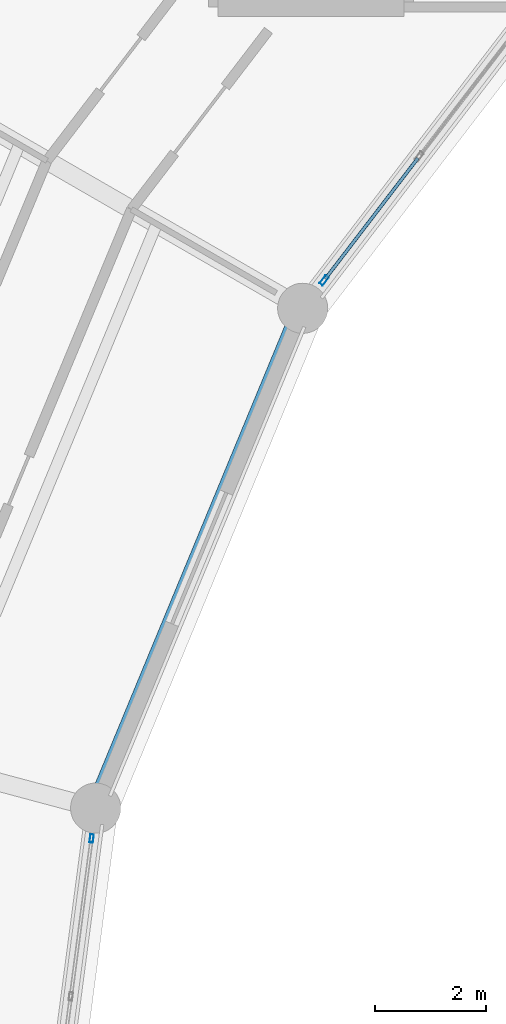
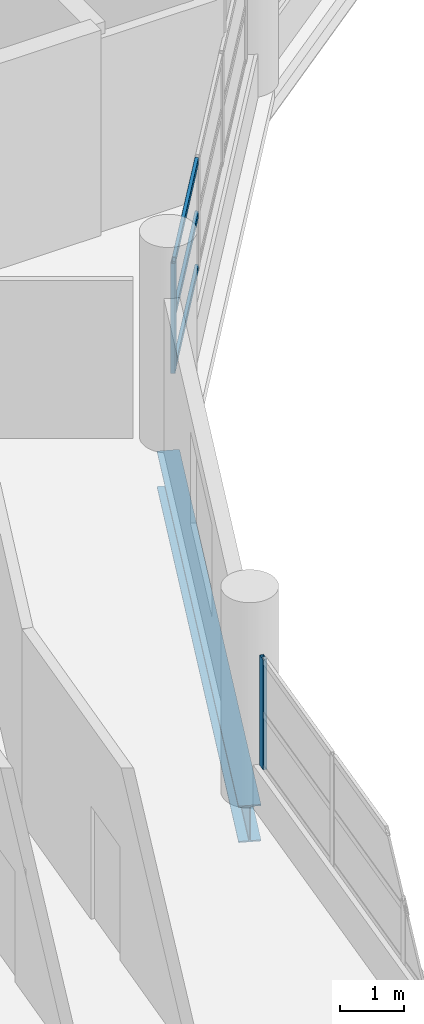
# One storey, part 22 of 53: 5 members, 1 beam, 2 elements without a shape of their own.
"""IFC4 building model written with IfcOpenShell, lengths in metres."""

from ifc_helpers import new_model, si_unit, direction, frame, origin, origin_2d, place, context, subcontext, project, spatial, hollow_rectangle, i_section, extrude, material, layer, layer_set, material_profile, profile_set, type_object, element, aggregate, save


model = new_model("IFC4")

# Units and contexts
model_context = context("Model", 3, precision=1e-05, world=origin(), true_north=direction((0.0, 1.0)))
body_context = subcontext(model_context, "Body", "Model", "MODEL_VIEW")
ifc_project = project(units=[si_unit("LENGTHUNIT", "METRE"), si_unit("AREAUNIT", "SQUARE_METRE"), si_unit("VOLUMEUNIT", "CUBIC_METRE"), si_unit("PLANEANGLEUNIT", "RADIAN"), si_unit("MASSUNIT", "GRAM", prefix="KILO")], contexts=[model_context])

# Site, building, storey
site_placement = place(None, origin())
site = spatial("IfcSite", under=ifc_project, at=site_placement, CompositionType="ELEMENT")
building_placement = place(site_placement, origin())
building = spatial("IfcBuilding", under=site, at=building_placement, Name="Vespera Passage Community Centre", CompositionType="ELEMENT")
storey_placement = place(building_placement, frame((0.0, 0.0, 20.39990234375)))
storey = spatial("IfcBuildingStorey", under=building, at=storey_placement, Name="L05", CompositionType="ELEMENT", Elevation=20.39990234375)

# Beam
ifc_material_1 = material(Name="Steel ASTM A992 Grade 50", Category="steel")
ifc_material_profile_1 = material_profile(ifc_material_1, i_section(OverallWidth=0.3544921875, OverallDepth=0.695556640625, WebThickness=0.015380859375, FlangeThickness=0.024658203125, FilletRadius=0.01513671875, at=origin_2d()), Name="W27X146")
ifc_profile_set_1 = profile_set([ifc_material_profile_1], Name="Steel ASTM A992 Grade 50")
beam_type = type_object("IfcBeamType", Name="BM-SP-W27X146E", PredefinedType="SPANDREL", material=ifc_profile_set_1)
beam_placement = place(storey_placement, frame((45.783935546875, 84.10009765625, -0.607666015625), z_axis=(-0.382684844258, -0.923878947685, 0.0), x_axis=(0.923878947685, -0.382684844258, 0.0)))
element("IfcBeam", 1, at=beam_placement, inside=storey, type_object=beam_type, Name="V4 L05 Inner Spandrel 10", PredefinedType="SPANDREL", context=body_context, shape_type="SweptSolid", body=[
    extrude(i_section(OverallWidth=0.3544921875, OverallDepth=0.695556640625, WebThickness=0.015380859375, FlangeThickness=0.024658203125, FilletRadius=0.01513671875, at=origin_2d()), origin(), (0.0, 0.0, 1.0), 9.711181640625),
])

# Curtain wall, member
ifc_material_2 = material(Name="Anodized aluminium 6063-T6", Category="aluminium")
ifc_layer_1 = layer(ifc_material_2, 0.159912109375)
ifc_layer_set_1 = layer_set([ifc_layer_1], Name="Anodized aluminium 6063-T6")
curtain_wall_type_1 = type_object("IfcCurtainWallType", Name="CW-58E", PredefinedType="NOTDEFINED", material=ifc_layer_set_1)
curtain_wall_1_placement = place(storey_placement, origin())
curtain_wall_1 = element("IfcCurtainWall", 2, at=curtain_wall_1_placement, inside=storey, type_object=curtain_wall_type_1, Name="V4 L05 Inner Court Curtain Wall 11", PredefinedType="NOTDEFINED")
ifc_material_3 = material(Name="Anodized aluminium 6063-T6", Category="aluminium")
ifc_material_profile_2 = material_profile(ifc_material_3, hollow_rectangle(XDim=0.06494140625, YDim=0.14990234375, WallThickness=0.00390625, InnerFilletRadius=0.001953125, OuterFilletRadius=0.00390625, at=origin_2d()), Name="ALU150X65X4")
ifc_profile_set_2 = profile_set([ifc_material_profile_2], Name="Anodized aluminium 6063-T6")
member_type_1 = type_object("IfcMemberType", Name="MB-CWM-150E", PredefinedType="MULLION", material=ifc_profile_set_2)
member_1_placement = place(storey_placement, frame((41.995849609375, 74.582763671875, 0.820068359375), z_axis=(0.0, 0.0, 1.0), x_axis=(0.991445387728, -0.1305221941, 0.0)))
member_1 = element("IfcMember", 3, at=member_1_placement, type_object=member_type_1, Name="CW-58E mullion 1", PredefinedType="MULLION", context=body_context, shape_type="SweptSolid", body=[
    extrude(hollow_rectangle(XDim=0.06494140625, YDim=0.14990234375, WallThickness=0.00390625, InnerFilletRadius=0.001953125, OuterFilletRadius=0.00390625, at=origin_2d()), origin(), (0.0, 0.0, 1.0), 2.08935546875),
])
aggregate(curtain_wall_1, [member_1])

# Curtain wall, members
ifc_material_4 = material(Name="Anodized aluminium 6063-T6", Category="aluminium")
ifc_layer_2 = layer(ifc_material_4, 0.159912109375)
ifc_layer_set_2 = layer_set([ifc_layer_2], Name="Anodized aluminium 6063-T6")
curtain_wall_type_2 = type_object("IfcCurtainWallType", Name="CW-54E", PredefinedType="NOTDEFINED", material=ifc_layer_set_2)
curtain_wall_2_placement = place(storey_placement, origin())
curtain_wall_2 = element("IfcCurtainWall", 4, at=curtain_wall_2_placement, inside=storey, type_object=curtain_wall_type_2, Name="V4 L05 Inner Court Curtain Wall 9", PredefinedType="NOTDEFINED")
ifc_material_5 = material(Name="Anodized aluminium 6063-T6", Category="aluminium")
ifc_material_profile_3 = material_profile(ifc_material_5, hollow_rectangle(XDim=0.074951171875, YDim=0.179931640625, WallThickness=0.0048828125, InnerFilletRadius=0.00244140625, OuterFilletRadius=0.0048828125, at=origin_2d()), Name="ALU180X75X5")
ifc_profile_set_3 = profile_set([ifc_material_profile_3], Name="Anodized aluminium 6063-T6")
member_type_2 = type_object("IfcMemberType", Name="MB-CWM-180E", PredefinedType="MULLION", material=ifc_profile_set_3)
member_2_placement = place(storey_placement, frame((46.167724609375, 84.600341796875, 0.820068359375), z_axis=(0.0, 0.0, 1.0), x_axis=(0.793358205999, -0.608755087843, 0.0)))
member_2 = element("IfcMember", 5, at=member_2_placement, type_object=member_type_2, Name="CW-54E mullion 4", PredefinedType="MULLION", context=body_context, shape_type="SweptSolid", body=[
    extrude(hollow_rectangle(XDim=0.074951171875, YDim=0.179931640625, WallThickness=0.0048828125, InnerFilletRadius=0.00244140625, OuterFilletRadius=0.0048828125, at=origin_2d()), origin(), (0.0, 0.0, 1.0), 2.08935546875),
])
ifc_material_6 = material(Name="Anodized aluminium 6063-T6", Category="aluminium")
ifc_material_profile_4 = material_profile(ifc_material_6, hollow_rectangle(XDim=0.06005859375, YDim=0.1201171875, WallThickness=0.00390625, InnerFilletRadius=0.001953125, OuterFilletRadius=0.00390625, at=origin_2d()), Name="ALU120X60X4")
ifc_profile_set_4 = profile_set([ifc_material_profile_4], Name="Anodized aluminium 6063-T6")
member_type_3 = type_object("IfcMemberType", Name="MB-CWT-120E", PredefinedType="USERDEFINED", material=ifc_profile_set_4)
member_3_placement = place(storey_placement, frame((47.85205078125, 86.795166015625, 0.85009765625), z_axis=(-0.608780813839, -0.793338465411, 0.0), x_axis=(0.793338465411, -0.608780813839, 0.0)))
member_3 = element("IfcMember", 6, at=member_3_placement, type_object=member_type_3, Name="CW-54E transom 3.1", ObjectType="TRANSOM", PredefinedType="USERDEFINED", context=body_context, shape_type="SweptSolid", body=[
    extrude(hollow_rectangle(XDim=0.06005859375, YDim=0.1201171875, WallThickness=0.00390625, InnerFilletRadius=0.001953125, OuterFilletRadius=0.00390625, at=origin_2d()), origin(), (0.0, 0.0, 1.0), 2.72900390625),
])
member_4_placement = place(storey_placement, frame((47.85205078125, 86.795166015625, 1.86474609375), z_axis=(-0.608780813839, -0.793338465411, 0.0), x_axis=(0.793338465411, -0.608780813839, 0.0)))
member_4 = element("IfcMember", 7, at=member_4_placement, type_object=member_type_3, Name="CW-54E transom 3.2", ObjectType="TRANSOM", PredefinedType="USERDEFINED", context=body_context, shape_type="SweptSolid", body=[
    extrude(hollow_rectangle(XDim=0.06005859375, YDim=0.1201171875, WallThickness=0.00390625, InnerFilletRadius=0.001953125, OuterFilletRadius=0.00390625, at=origin_2d()), origin(), (0.0, 0.0, 1.0), 2.72900390625),
])
member_5_placement = place(storey_placement, frame((47.85205078125, 86.795166015625, 2.87939453125), z_axis=(-0.608780813839, -0.793338465411, 0.0), x_axis=(0.793338465411, -0.608780813839, 0.0)))
member_5 = element("IfcMember", 8, at=member_5_placement, type_object=member_type_3, Name="CW-54E transom 3.3", ObjectType="TRANSOM", PredefinedType="USERDEFINED", context=body_context, shape_type="SweptSolid", body=[
    extrude(hollow_rectangle(XDim=0.06005859375, YDim=0.1201171875, WallThickness=0.00390625, InnerFilletRadius=0.001953125, OuterFilletRadius=0.00390625, at=origin_2d()), origin(), (0.0, 0.0, 1.0), 2.72900390625),
])
aggregate(curtain_wall_2, [member_2, member_3, member_4, member_5])

save(model, "model.ifc")
